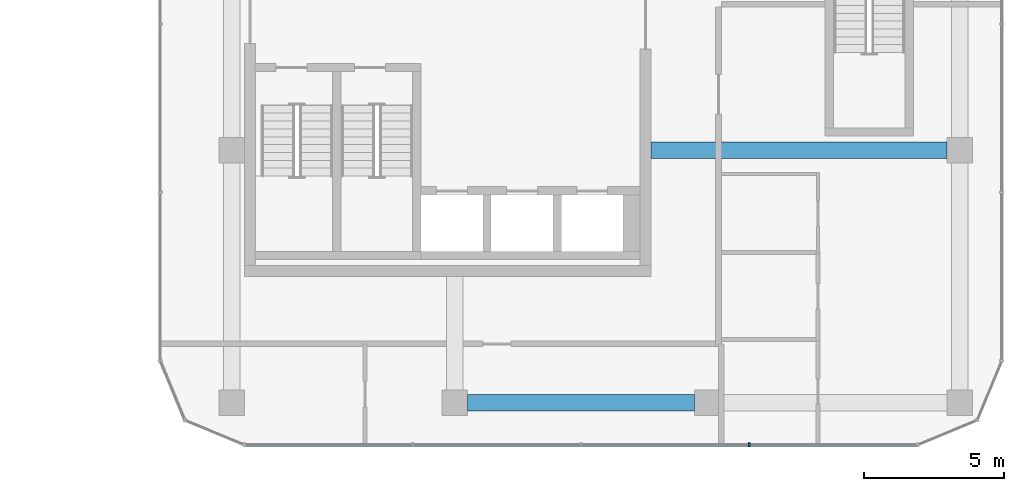
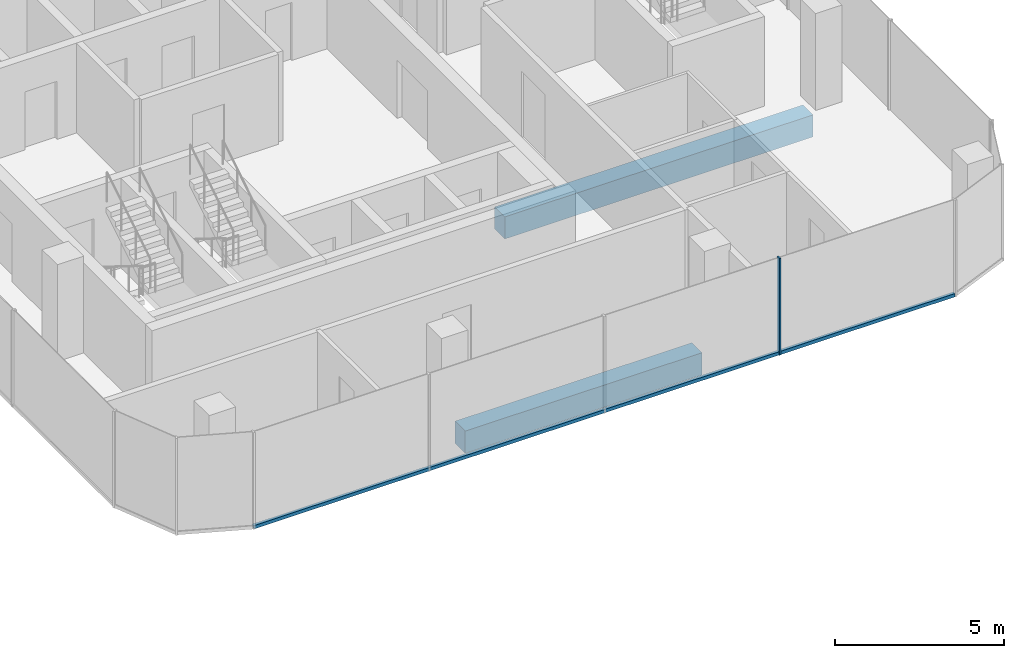
# One storey, part 8 of 23: 2 beams, 2 members, 1 element without a shape of its own.
"""IFC4 building model written with IfcOpenShell, lengths in metres."""

from ifc_helpers import new_model, si_unit, direction, frame, origin, origin_2d, place, context, subcontext, project, spatial, rectangle, extrude, material, layer, layer_set, material_profile, profile_set, type_object, element, aggregate, save


model = new_model("IFC4")

# Units and contexts
model_context = context("Model", 3, precision=1e-05, world=origin(), true_north=direction((0.0, 1.0)))
body_context = subcontext(model_context, "Body", "Model", "MODEL_VIEW")
ifc_project = project(units=[si_unit("LENGTHUNIT", "METRE"), si_unit("AREAUNIT", "SQUARE_METRE"), si_unit("VOLUMEUNIT", "CUBIC_METRE"), si_unit("PLANEANGLEUNIT", "RADIAN"), si_unit("MASSUNIT", "GRAM", prefix="KILO")], contexts=[model_context])

# Site, building, storey
site_placement = place(None, origin())
site = spatial("IfcSite", under=ifc_project, at=site_placement, CompositionType="ELEMENT")
building_placement = place(site_placement, origin())
building = spatial("IfcBuilding", under=site, at=building_placement, Name="Plateau Cross Towers", CompositionType="ELEMENT")
storey_placement = place(building_placement, frame((0.0, 0.0, 95.800048828125)))
storey = spatial("IfcBuildingStorey", under=building, at=storey_placement, Name="L24", CompositionType="ELEMENT", Elevation=95.800048828125)

# Beam
ifc_material_1 = material(Name="Concrete C60/75", Category="concrete")
ifc_material_profile_1 = material_profile(ifc_material_1, rectangle(XDim=0.60009765625, YDim=0.800048828125, at=origin_2d()), Name="RC 600x800")
ifc_profile_set_1 = profile_set([ifc_material_profile_1], Name="Concrete C60/75")
beam_type_1 = type_object("IfcBeamType", Name="Core beam RC 600x800", PredefinedType="BEAM", material=ifc_profile_set_1)
beam_1_placement = place(storey_placement, frame((89.5, 4.5, -0.650146484375), z_axis=(1.0, 0.0, 0.0), x_axis=(0.0, 1.0, 0.0)))
element("IfcBeam", 1, at=beam_1_placement, inside=storey, type_object=beam_type_1, Name="B-CB02@L24", PredefinedType="BEAM", context=body_context, shape_type="SweptSolid", body=[
    extrude(rectangle(XDim=0.60009765625, YDim=0.800048828125, at=origin_2d()), origin(), (0.0, 0.0, 1.0), 10.550048828125),
])

# Curtain wall, member
ifc_material_2 = material(Name="Dark low-iron glass", Category="glass")
ifc_layer = layer(ifc_material_2, 0.239990234375)
ifc_layer_set = layer_set([ifc_layer], Name="Dark low-iron glass")
curtain_wall_type = type_object("IfcCurtainWallType", Name="Curtain wall office unitised CW-F", PredefinedType="NOTDEFINED", material=ifc_layer_set)
curtain_wall_placement = place(storey_placement, origin())
curtain_wall = element("IfcCurtainWall", 2, at=curtain_wall_placement, inside=storey, type_object=curtain_wall_type, Name="ENV/B/L24/B750_-60", PredefinedType="NOTDEFINED")
ifc_material_3 = material(Name="Black anodised aluminium", Category="aluminium")
ifc_material_profile_2 = material_profile(ifc_material_3, rectangle(XDim=0.06005859375, YDim=0.139892578125, at=origin_2d()), Name="MULLION 60x140")
ifc_profile_set_2 = profile_set([ifc_material_profile_2], Name="Black anodised aluminium")
member_type_1 = type_object("IfcMemberType", Name="Mullion 60x140 office unitised", PredefinedType="MULLION", material=ifc_profile_set_2)
member_1_placement = place(storey_placement, frame((93.0, -6.0, -0.25), z_axis=(0.0, 0.0, 1.0), x_axis=(1.0, 0.0, 0.0)))
member_1 = element("IfcMember", 3, at=member_1_placement, type_object=member_type_1, Name="CW-F mullion 4", PredefinedType="MULLION", context=body_context, shape_type="SweptSolid", body=[
    extrude(rectangle(XDim=0.06005859375, YDim=0.139892578125, at=origin_2d()), origin(), (0.0, 0.0, 1.0), 3.5),
])

# Beam
ifc_material_profile_3 = material_profile(ifc_material_1, rectangle(XDim=0.60009765625, YDim=0.800048828125, at=origin_2d()), Name="RC 600x800")
ifc_profile_set_3 = profile_set([ifc_material_profile_3], Name="Concrete C60/75")
beam_type_2 = type_object("IfcBeamType", Name="Ring beam RC 600x800", PredefinedType="BEAM", material=ifc_profile_set_3)
beam_2_placement = place(storey_placement, frame((82.949951171875, -4.5, -0.650146484375), z_axis=(1.0, 0.0, 0.0), x_axis=(0.0, 1.0, 0.0)))
element("IfcBeam", 4, at=beam_2_placement, inside=storey, type_object=beam_type_2, Name="B-RB01@L24", PredefinedType="BEAM", context=body_context, shape_type="SweptSolid", body=[
    extrude(rectangle(XDim=0.60009765625, YDim=0.800048828125, at=origin_2d()), origin(), (0.0, 0.0, 1.0), 8.10009765625),
])

# Member
ifc_material_profile_4 = material_profile(ifc_material_3, rectangle(XDim=0.10009765625, YDim=0.1201171875, at=origin_2d()), Name="TRANSOM 100x120")
ifc_profile_set_4 = profile_set([ifc_material_profile_4], Name="Black anodised aluminium")
member_type_2 = type_object("IfcMemberType", Name="Transom 100x120 office unitised", PredefinedType="USERDEFINED", material=ifc_profile_set_4)
member_2_placement = place(storey_placement, frame((75.0, -6.0, -0.18994140625), z_axis=(1.0, 0.0, 0.0), x_axis=(0.0, 1.0, 0.0)))
member_2 = element("IfcMember", 5, at=member_2_placement, type_object=member_type_2, Name="CW-F transom", ObjectType="TRANSOM", PredefinedType="USERDEFINED", context=body_context, shape_type="SweptSolid", body=[
    extrude(rectangle(XDim=0.10009765625, YDim=0.1201171875, at=origin_2d()), origin(), (0.0, 0.0, 1.0), 24.0),
])

aggregate(curtain_wall, [member_1, member_2])

save(model, "model.ifc")
